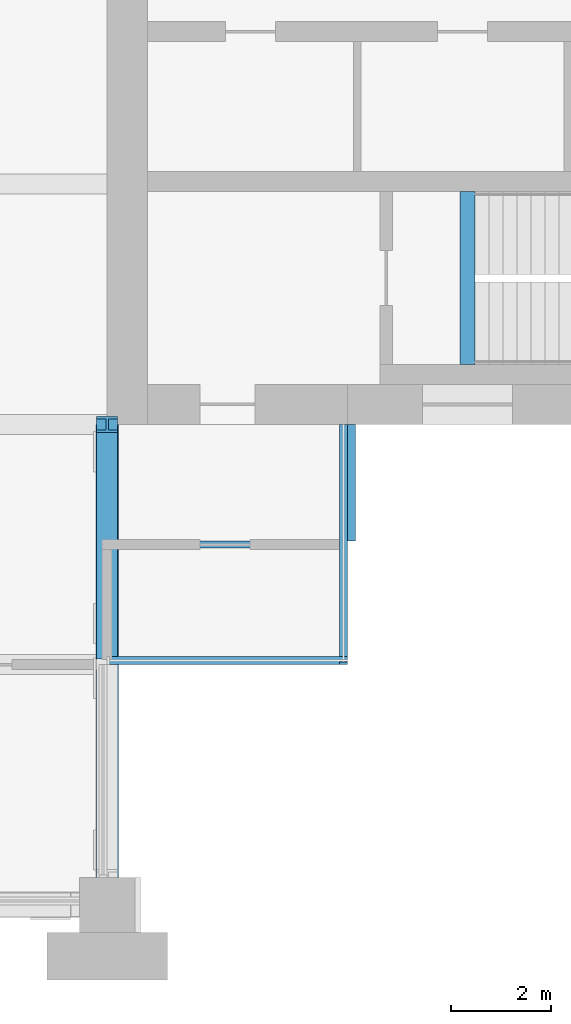
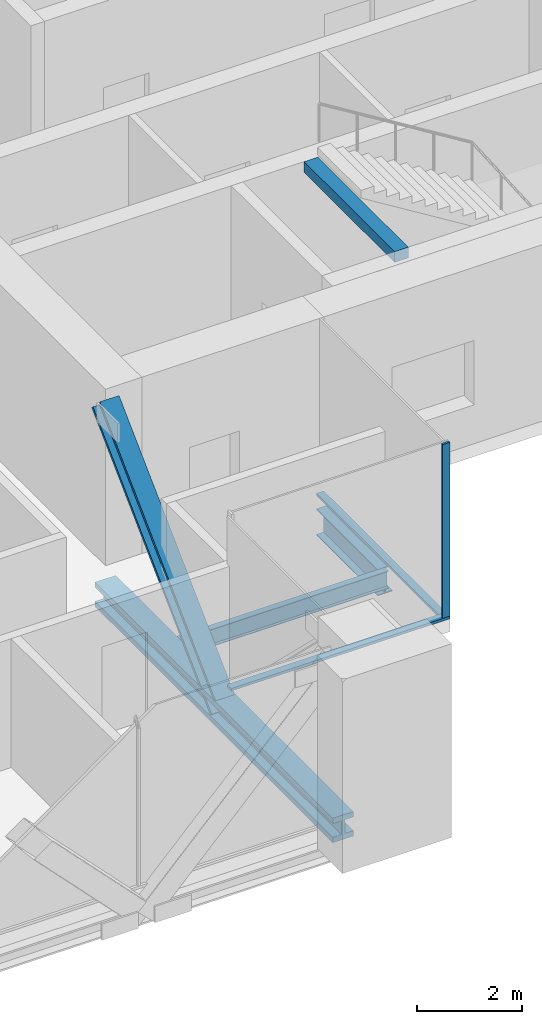
# One storey, part 4 of 13: 4 beams, 4 members, 2 elements without a shape of their own.
"""IFC4 building model written with IfcOpenShell, lengths in metres."""

from ifc_helpers import new_model, si_unit, direction, frame, origin, origin_2d, place, context, subcontext, project, spatial, rectangle, i_section, extrude, material, material_profile, profile_set, type_object, element, aggregate, save


model = new_model("IFC4")

# Units and contexts
model_context = context("Model", 3, precision=1e-05, world=origin(), true_north=direction((0.0, 1.0)))
body_context = subcontext(model_context, "Body", "Model", "MODEL_VIEW")
ifc_project = project(units=[si_unit("LENGTHUNIT", "METRE"), si_unit("AREAUNIT", "SQUARE_METRE"), si_unit("VOLUMEUNIT", "CUBIC_METRE"), si_unit("PLANEANGLEUNIT", "RADIAN"), si_unit("MASSUNIT", "GRAM", prefix="KILO")], contexts=[model_context])

# Site, building, storey
site_placement = place(None, origin())
site = spatial("IfcSite", under=ifc_project, at=site_placement, CompositionType="ELEMENT")
building_placement = place(site_placement, origin())
building = spatial("IfcBuilding", under=site, at=building_placement, Name="Baori Bourse Tower", CompositionType="ELEMENT")
storey_placement = place(building_placement, frame((0.0, 0.0, 265.199951171875)))
storey = spatial("IfcBuildingStorey", under=building, at=storey_placement, Name="L59", CompositionType="ELEMENT", Elevation=265.199951171875)

# Curtain wall, member
ifc_material_1 = material(Name="Pale anodised aluminium", Category="aluminium")
curtain_wall_type = type_object("IfcCurtainWallType", Name="CW3 Curtain wall", PredefinedType="NOTDEFINED", material=ifc_material_1)
curtain_wall_1_placement = place(storey_placement, origin())
curtain_wall_1 = element("IfcCurtainWall", 1, at=curtain_wall_1_placement, inside=storey, type_object=curtain_wall_type, Name="Curtain wall CW3 L59 14", PredefinedType="NOTDEFINED")
ifc_material_2 = material(Name="Pale anodised aluminium", Category="aluminium")
ifc_material_profile_1 = material_profile(ifc_material_2, rectangle(XDim=0.159912109375, YDim=0.050048828125, at=origin_2d()), Name="Mullion 50x160")
ifc_profile_set_1 = profile_set([ifc_material_profile_1], Name="Pale anodised aluminium")
member_type_1 = type_object("IfcMemberType", Name="CW3 Curtain wall mullion", PredefinedType="MULLION", material=ifc_profile_set_1)
member_1_placement = place(storey_placement, frame((43.1201171875, 4.824951171875, 0.06005859375), z_axis=(0.0, 0.0, 1.0), x_axis=(-1.0, 0.0, 0.0)))
member_1 = element("IfcMember", 2, at=member_1_placement, type_object=member_type_1, Name="Curtain wall CW3 mullion", PredefinedType="MULLION", context=body_context, shape_type="SweptSolid", body=[
    extrude(rectangle(XDim=0.159912109375, YDim=0.050048828125, at=origin_2d()), origin(), (0.0, 0.0, 1.0), 4.0400390625),
])

curtain_wall_2_placement = place(storey_placement, origin())
curtain_wall_2 = element("IfcCurtainWall", 3, at=curtain_wall_2_placement, inside=storey, type_object=curtain_wall_type, Name="Curtain wall CW3 L59 13", PredefinedType="NOTDEFINED")
ifc_material_3 = material(Name="Pale anodised aluminium", Category="aluminium")
ifc_material_profile_2 = material_profile(ifc_material_3, rectangle(XDim=0.159912109375, YDim=0.06005859375, at=origin_2d()), Name="Transom 60x160")
ifc_profile_set_2 = profile_set([ifc_material_profile_2], Name="Pale anodised aluminium")
member_type_2 = type_object("IfcMemberType", Name="CW3 Curtain wall transom", PredefinedType="USERDEFINED", material=ifc_profile_set_2)
member_2_placement = place(storey_placement, frame((38.39990234375, 4.8798828125, 0.030029296875), z_axis=(1.0, 0.0, 0.0), x_axis=(0.0, 1.0, 0.0)))
member_2 = element("IfcMember", 4, at=member_2_placement, type_object=member_type_2, Name="Curtain wall CW3 sill rail", ObjectType="TRANSOM", PredefinedType="USERDEFINED", context=body_context, shape_type="SweptSolid", body=[
    extrude(rectangle(XDim=0.159912109375, YDim=0.06005859375, at=origin_2d()), origin(), (0.0, 0.0, 1.0), 4.800048828125),
])
aggregate(curtain_wall_2, [member_2])

# Member
member_3_placement = place(storey_placement, frame((43.1201171875, 4.800048828125, 0.030029296875), z_axis=(0.0, 1.0, 0.0), x_axis=(-1.0, 0.0, 0.0)))
member_3 = element("IfcMember", 5, at=member_3_placement, type_object=member_type_2, Name="Curtain wall CW3 sill rail", ObjectType="TRANSOM", PredefinedType="USERDEFINED", context=body_context, shape_type="SweptSolid", body=[
    extrude(rectangle(XDim=0.159912109375, YDim=0.06005859375, at=origin_2d()), origin(), (0.0, 0.0, 1.0), 4.800048828125),
])

aggregate(curtain_wall_1, [member_3, member_1])

# Beams
ifc_material_4 = material(Name="Steel A992 Gr 50", Category="steel")
ifc_material_profile_3 = material_profile(ifc_material_4, i_section(OverallWidth=0.3251953125, OverallDepth=0.612060546875, WebThickness=0.0126953125, FlangeThickness=0.01904296875, at=origin_2d()), Name="W24x104")
ifc_profile_set_3 = profile_set([ifc_material_profile_3], Name="Steel A992 Gr 50")
beam_type_1 = type_object("IfcBeamType", Name="Core bracket W24x104", PredefinedType="BEAM", material=ifc_profile_set_3)
beam_1_placement = place(storey_placement, frame((43.199951171875, 7.270263671875, -0.60595703125), z_axis=(0.0, 1.0, 0.0), x_axis=(-1.0, 0.0, 0.0)))
element("IfcBeam", 6, at=beam_1_placement, inside=storey, type_object=beam_type_1, Name="Core bracket L59", PredefinedType="BEAM", context=body_context, shape_type="SweptSolid", body=[
    extrude(i_section(OverallWidth=0.3251953125, OverallDepth=0.612060546875, WebThickness=0.0126953125, FlangeThickness=0.01904296875, at=origin_2d()), origin(), (0.0, 0.0, 1.0), 2.329833984375),
])
ifc_material_5 = material(Name="Steel A913 Gr 65", Category="steel")
ifc_material_profile_4 = material_profile(ifc_material_5, i_section(OverallWidth=0.45458984375, OverallDepth=0.56884765625, WebThickness=0.077880859375, FlangeThickness=0.124755859375, at=origin_2d()), Name="W14x730")
ifc_profile_set_4 = profile_set([ifc_material_profile_4], Name="Steel A913 Gr 65")
beam_type_2 = type_object("IfcBeamType", Name="Outrigger truss chord W14x730", PredefinedType="BEAM", material=ifc_profile_set_4)
beam_2_placement = place(storey_placement, frame((38.39990234375, 0.550048828125, -0.58447265625), z_axis=(0.0, 1.0, 0.0), x_axis=(-1.0, 0.0, 0.0)))
element("IfcBeam", 7, at=beam_2_placement, inside=storey, type_object=beam_type_2, Name="Outrigger truss chord L59", PredefinedType="BEAM", context=body_context, shape_type="SweptSolid", body=[
    extrude(i_section(OverallWidth=0.45458984375, OverallDepth=0.56884765625, WebThickness=0.077880859375, FlangeThickness=0.124755859375, at=origin_2d()), origin(), (0.0, 0.0, 1.0), 9.050048828125),
])

# Member
ifc_material_6 = material(Name="Steel A913 Gr 65", Category="steel")
ifc_material_profile_5 = material_profile(ifc_material_6, i_section(OverallWidth=0.419189453125, OverallDepth=0.45458984375, WebThickness=0.042236328125, FlangeThickness=0.067626953125, at=origin_2d()), Name="W14x370")
ifc_profile_set_5 = profile_set([ifc_material_profile_5], Name="Steel A913 Gr 65")
member_type_3 = type_object("IfcMemberType", Name="Outrigger truss diagonal W14x370", PredefinedType="BRACE", material=ifc_profile_set_5)
member_4_placement = place(storey_placement, frame((38.39990234375, 5.074951171875, -0.58447265625), z_axis=(0.0, 0.71693960417, 0.697135283839), x_axis=(-1.0, 0.0, 0.0)))
element("IfcMember", 8, at=member_4_placement, inside=storey, type_object=member_type_3, Name="Outrigger truss diagonal L59", PredefinedType="BRACE", context=body_context, shape_type="SweptSolid", body=[
    extrude(i_section(OverallWidth=0.419189453125, OverallDepth=0.45458984375, WebThickness=0.042236328125, FlangeThickness=0.067626953125, at=origin_2d()), origin(), (0.0, 0.0, 1.0), 6.311767578125),
])

# Beams
ifc_material_7 = material(Name="Concrete f'c 50 MPa", Category="concrete")
ifc_material_profile_6 = material_profile(ifc_material_7, rectangle(XDim=0.300048828125, YDim=0.25, at=origin_2d()), Name="RC 300x250")
ifc_profile_set_6 = profile_set([ifc_material_profile_6], Name="Concrete f'c 50 MPa")
beam_type_3 = type_object("IfcBeamType", Name="Stair nib beam RC 300x250", PredefinedType="BEAM", material=ifc_profile_set_6)
beam_3_placement = place(storey_placement, frame((45.60009765625, 10.800048828125, 3.97509765625), z_axis=(0.0, 1.0, 0.0), x_axis=(-1.0, 0.0, 0.0)))
element("IfcBeam", 9, at=beam_3_placement, inside=storey, type_object=beam_type_3, Name="Stair EA nib beam L60", PredefinedType="BEAM", context=body_context, shape_type="SweptSolid", body=[
    extrude(rectangle(XDim=0.300048828125, YDim=0.25, at=origin_2d()), origin(), (0.0, 0.0, 1.0), 3.449951171875),
])
ifc_material_8 = material(Name="Steel A992 Gr 50", Category="steel")
ifc_material_profile_7 = material_profile(ifc_material_8, i_section(OverallWidth=0.140380859375, OverallDepth=0.40380859375, WebThickness=0.007080078125, FlangeThickness=0.01123046875, at=origin_2d()), Name="W16x31")
ifc_profile_set_7 = profile_set([ifc_material_profile_7], Name="Steel A992 Gr 50")
beam_type_4 = type_object("IfcBeamType", Name="Trimmer beam W16x31", PredefinedType="BEAM", material=ifc_profile_set_7)
beam_4_placement = place(storey_placement, frame((38.62744140625, 7.199951171875, -0.501953125), z_axis=(1.0, 0.0, 0.0), x_axis=(0.0, 1.0, 0.0)))
element("IfcBeam", 10, at=beam_4_placement, inside=storey, type_object=beam_type_4, Name="Trimmer beam L59", PredefinedType="BEAM", context=body_context, shape_type="SweptSolid", body=[
    extrude(i_section(OverallWidth=0.140380859375, OverallDepth=0.40380859375, WebThickness=0.007080078125, FlangeThickness=0.01123046875, at=origin_2d()), origin(), (0.0, 0.0, 1.0), 4.572509765625),
])

save(model, "model.ifc")
